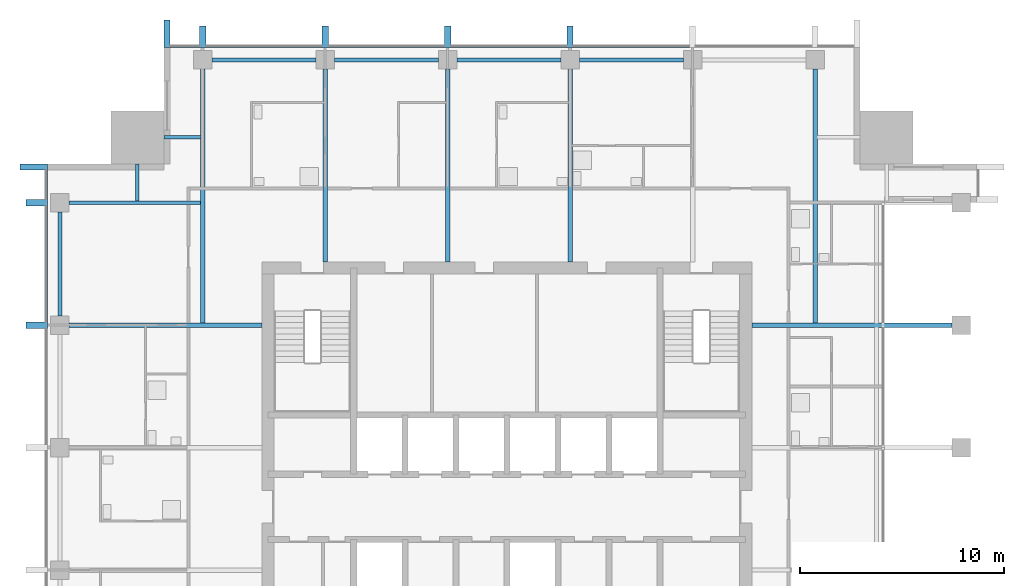
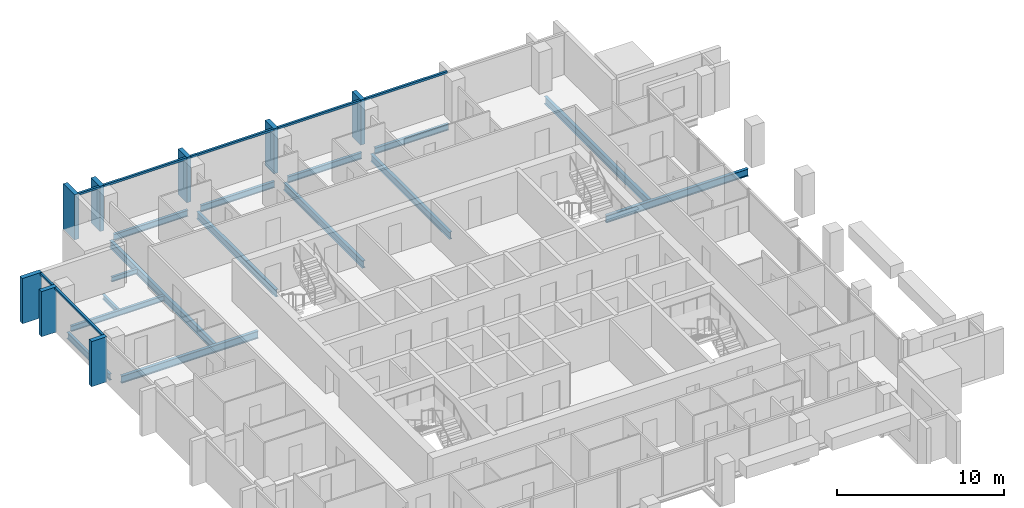
# One storey, part 5 of 14: 15 beams, 15 members, 2 elements without a shape of their own.
"""IFC4 building model written with IfcOpenShell, lengths in metres."""

from ifc_helpers import new_model, si_unit, direction, frame, origin, origin_2d, place, context, subcontext, project, spatial, rectangle, i_section, extrude, material, material_profile, profile_set, type_object, element, aggregate, save


model = new_model("IFC4")

# Units and contexts
model_context = context("Model", 3, precision=1e-05, world=origin(), true_north=direction((0.0, 1.0)))
body_context = subcontext(model_context, "Body", "Model", "MODEL_VIEW")
ifc_project = project(units=[si_unit("LENGTHUNIT", "METRE"), si_unit("AREAUNIT", "SQUARE_METRE"), si_unit("VOLUMEUNIT", "CUBIC_METRE"), si_unit("PLANEANGLEUNIT", "RADIAN"), si_unit("MASSUNIT", "GRAM", prefix="KILO")], contexts=[model_context])

# Site, building, storey
site_placement = place(None, origin())
site = spatial("IfcSite", under=ifc_project, at=site_placement, CompositionType="ELEMENT")
building_placement = place(site_placement, origin())
building = spatial("IfcBuilding", under=site, at=building_placement, Name="Amberfall Residences", CompositionType="ELEMENT")
storey_placement = place(building_placement, frame((0.0, 0.0, 220.0)))
storey = spatial("IfcBuildingStorey", under=building, at=storey_placement, Name="L59", CompositionType="ELEMENT", Elevation=220.0)

# Curtain wall, members
ifc_material_1 = material(Name="Bronze anodised aluminium and glass", Category="aluminium")
curtain_wall_type = type_object("IfcCurtainWallType", Name="Curtain wall CW1 tower unit", PredefinedType="USERDEFINED", material=ifc_material_1)
curtain_wall_1_placement = place(storey_placement, origin())
curtain_wall_1 = element("IfcCurtainWall", 1, at=curtain_wall_1_placement, inside=storey, type_object=curtain_wall_type, Name="Curtain wall L59 N N1", ObjectType="UNITISED CURTAIN WALL", PredefinedType="USERDEFINED")
ifc_material_2 = material(Name="Bronze anodised aluminium", Category="aluminium")
ifc_material_profile_1 = material_profile(ifc_material_2, rectangle(XDim=0.14990234375, YDim=0.14990234375, at=origin_2d()), Name="CW1 transom 150 x 150 bronze")
ifc_profile_set_1 = profile_set([ifc_material_profile_1], Name="Bronze anodised aluminium")
member_type_1 = type_object("IfcMemberType", Name="CW1 transom 150 x 150 bronze", PredefinedType="USERDEFINED", material=ifc_profile_set_1)
member_1_placement = place(storey_placement, frame((83.449951171875, 68.074951171875, 2.97509765625), z_axis=(-1.0, 0.0, 0.0), x_axis=(0.0, -1.0, 0.0)))
member_1 = element("IfcMember", 2, at=member_1_placement, type_object=member_type_1, Name="CW1 transom 3.1", ObjectType="TRANSOM", PredefinedType="USERDEFINED", context=body_context, shape_type="SweptSolid", body=[
    extrude(rectangle(XDim=0.14990234375, YDim=0.14990234375, at=origin_2d()), origin(), (0.0, 0.0, 1.0), 5.699951171875),
])
member_2_placement = place(storey_placement, frame((77.449951171875, 68.074951171875, 2.97509765625), z_axis=(-1.0, 0.0, 0.0), x_axis=(0.0, -1.0, 0.0)))
member_2 = element("IfcMember", 3, at=member_2_placement, type_object=member_type_1, Name="CW1 transom 4.1", ObjectType="TRANSOM", PredefinedType="USERDEFINED", context=body_context, shape_type="SweptSolid", body=[
    extrude(rectangle(XDim=0.14990234375, YDim=0.14990234375, at=origin_2d()), origin(), (0.0, 0.0, 1.0), 5.699951171875),
])
member_3_placement = place(storey_placement, frame((71.449951171875, 68.074951171875, 2.97509765625), z_axis=(-1.0, 0.0, 0.0), x_axis=(0.0, -1.0, 0.0)))
member_3 = element("IfcMember", 4, at=member_3_placement, type_object=member_type_1, Name="CW1 transom 5.1", ObjectType="TRANSOM", PredefinedType="USERDEFINED", context=body_context, shape_type="SweptSolid", body=[
    extrude(rectangle(XDim=0.14990234375, YDim=0.14990234375, at=origin_2d()), origin(), (0.0, 0.0, 1.0), 5.699951171875),
])
member_4_placement = place(storey_placement, frame((65.449951171875, 68.074951171875, 2.97509765625), z_axis=(-1.0, 0.0, 0.0), x_axis=(0.0, -1.0, 0.0)))
member_4 = element("IfcMember", 5, at=member_4_placement, type_object=member_type_1, Name="CW1 transom 6.1", ObjectType="TRANSOM", PredefinedType="USERDEFINED", context=body_context, shape_type="SweptSolid", body=[
    extrude(rectangle(XDim=0.14990234375, YDim=0.14990234375, at=origin_2d()), origin(), (0.0, 0.0, 1.0), 5.699951171875),
])
member_5_placement = place(storey_placement, frame((59.449951171875, 68.074951171875, 2.97509765625), z_axis=(-1.0, 0.0, 0.0), x_axis=(0.0, -1.0, 0.0)))
member_5 = element("IfcMember", 6, at=member_5_placement, type_object=member_type_1, Name="CW1 transom 7.1", ObjectType="TRANSOM", PredefinedType="USERDEFINED", context=body_context, shape_type="SweptSolid", body=[
    extrude(rectangle(XDim=0.14990234375, YDim=0.14990234375, at=origin_2d()), origin(), (0.0, 0.0, 1.0), 1.449951171875),
])

curtain_wall_2_placement = place(storey_placement, origin())
curtain_wall_2 = element("IfcCurtainWall", 7, at=curtain_wall_2_placement, inside=storey, type_object=curtain_wall_type, Name="Curtain wall L59 W W1", ObjectType="UNITISED CURTAIN WALL", PredefinedType="USERDEFINED")
member_6_placement = place(storey_placement, frame((51.925048828125, 62.0, 2.97509765625), z_axis=(0.0, -1.0, 0.0), x_axis=(1.0, 0.0, 0.0)))
member_6 = element("IfcMember", 8, at=member_6_placement, type_object=member_type_1, Name="CW1 transom 1.1", ObjectType="TRANSOM", PredefinedType="USERDEFINED", context=body_context, shape_type="SweptSolid", body=[
    extrude(rectangle(XDim=0.14990234375, YDim=0.14990234375, at=origin_2d()), origin(), (0.0, 0.0, 1.0), 1.449951171875),
])
member_7_placement = place(storey_placement, frame((51.925048828125, 60.25, 2.97509765625), z_axis=(0.0, -1.0, 0.0), x_axis=(1.0, 0.0, 0.0)))
member_7 = element("IfcMember", 9, at=member_7_placement, type_object=member_type_1, Name="CW1 transom 2.1", ObjectType="TRANSOM", PredefinedType="USERDEFINED", context=body_context, shape_type="SweptSolid", body=[
    extrude(rectangle(XDim=0.14990234375, YDim=0.14990234375, at=origin_2d()), origin(), (0.0, 0.0, 1.0), 5.699951171875),
])

# Member
ifc_material_profile_2 = material_profile(ifc_material_2, rectangle(XDim=1.35009765625, YDim=0.300048828125, at=origin_2d()), Name="Corner fin 300 x 1350 bronze")
ifc_profile_set_2 = profile_set([ifc_material_profile_2], Name="Bronze anodised aluminium")
member_type_2 = type_object("IfcMemberType", Name="Corner fin 300 x 1350 bronze", PredefinedType="MULLION", material=ifc_profile_set_2)
member_8_placement = place(storey_placement, frame((57.85009765625, 68.675048828125, -0.25), z_axis=(0.0, 0.0, 1.0), x_axis=(0.0, -1.0, 0.0)))
member_8 = element("IfcMember", 10, at=member_8_placement, type_object=member_type_2, Name="CW FIN 8", PredefinedType="MULLION", context=body_context, shape_type="SweptSolid", body=[
    extrude(rectangle(XDim=1.35009765625, YDim=0.300048828125, at=origin_2d()), origin(), (0.0, 0.0, 1.0), 3.300048828125),
])

member_9_placement = place(storey_placement, frame((51.324951171875, 62.14990234375, -0.25), z_axis=(0.0, 0.0, 1.0), x_axis=(1.0, 0.0, 0.0)))
member_9 = element("IfcMember", 11, at=member_9_placement, type_object=member_type_2, Name="CW FIN 1", PredefinedType="MULLION", context=body_context, shape_type="SweptSolid", body=[
    extrude(rectangle(XDim=1.35009765625, YDim=0.300048828125, at=origin_2d()), origin(), (0.0, 0.0, 1.0), 3.300048828125),
])

# Beams
ifc_material_3 = material(Name="Steel S355", Category="steel")
ifc_material_profile_3 = material_profile(ifc_material_3, i_section(OverallWidth=0.18994140625, OverallDepth=0.453369140625, WebThickness=0.008544921875, FlangeThickness=0.0126953125, FilletRadius=0.01025390625, at=origin_2d()), Name="UB 457x191x67")
ifc_profile_set_3 = profile_set([ifc_material_profile_3], Name="Steel S355")
beam_type_1 = type_object("IfcBeamType", Name="Edge beam UB 457x191x67", PredefinedType="SPANDREL", material=ifc_profile_set_3)
for number, where, z_axis, x_axis, name in (
    (12, (60.050048828125, 67.39990234375, -0.476806640625), (1.0, 0.0, 0.0), (0.0, 1.0, 0.0), "Edge beam B1 L59 23"),
    (13, (66.050048828125, 67.39990234375, -0.476806640625), (1.0, 0.0, 0.0), (0.0, 1.0, 0.0), "Edge beam B1 L59 24"),
    (14, (72.050048828125, 67.39990234375, -0.476806640625), (1.0, 0.0, 0.0), (0.0, 1.0, 0.0), "Edge beam B1 L59 25"),
    (15, (78.050048828125, 67.39990234375, -0.476806640625), (1.0, 0.0, 0.0), (0.0, 1.0, 0.0), "Edge beam B1 L59 26"),
    (16, (52.60009765625, 54.85009765625, -0.476806640625), (0.0, 1.0, 0.0), (-1.0, 0.0, 0.0), "Edge beam B1 L59 38"),
):
    element("IfcBeam", number, at=place(storey_placement, frame(where, z_axis=z_axis, x_axis=x_axis)), inside=storey, type_object=beam_type_1, Name=name, PredefinedType="SPANDREL", context=body_context, shape_type="SweptSolid", body=[
        extrude(i_section(OverallWidth=0.18994140625, OverallDepth=0.453369140625, WebThickness=0.008544921875, FlangeThickness=0.0126953125, FilletRadius=0.01025390625, at=origin_2d()), origin(), (0.0, 0.0, 1.0), 5.099853515625),
    ])

# Member
ifc_material_profile_4 = material_profile(ifc_material_2, rectangle(XDim=1.050048828125, YDim=0.300048828125, at=origin_2d()), Name="Fin 300 x 1050 bronze")
ifc_profile_set_4 = profile_set([ifc_material_profile_4], Name="Bronze anodised aluminium")
member_type_3 = type_object("IfcMemberType", Name="Fin 300 x 1050 bronze", PredefinedType="MULLION", material=ifc_profile_set_4)
member_10_placement = place(storey_placement, frame((77.60009765625, 68.52490234375, -0.25), z_axis=(0.0, 0.0, 1.0), x_axis=(0.0, -1.0, 0.0)))
member_10 = element("IfcMember", 17, at=member_10_placement, type_object=member_type_3, Name="CW FIN 4", PredefinedType="MULLION", context=body_context, shape_type="SweptSolid", body=[
    extrude(rectangle(XDim=1.050048828125, YDim=0.300048828125, at=origin_2d()), origin(), (0.0, 0.0, 1.0), 3.300048828125),
])

member_11_placement = place(storey_placement, frame((71.60009765625, 68.52490234375, -0.25), z_axis=(0.0, 0.0, 1.0), x_axis=(0.0, -1.0, 0.0)))
member_11 = element("IfcMember", 18, at=member_11_placement, type_object=member_type_3, Name="CW FIN 5", PredefinedType="MULLION", context=body_context, shape_type="SweptSolid", body=[
    extrude(rectangle(XDim=1.050048828125, YDim=0.300048828125, at=origin_2d()), origin(), (0.0, 0.0, 1.0), 3.300048828125),
])

member_12_placement = place(storey_placement, frame((65.60009765625, 68.52490234375, -0.25), z_axis=(0.0, 0.0, 1.0), x_axis=(0.0, -1.0, 0.0)))
member_12 = element("IfcMember", 19, at=member_12_placement, type_object=member_type_3, Name="CW FIN 6", PredefinedType="MULLION", context=body_context, shape_type="SweptSolid", body=[
    extrude(rectangle(XDim=1.050048828125, YDim=0.300048828125, at=origin_2d()), origin(), (0.0, 0.0, 1.0), 3.300048828125),
])

member_13_placement = place(storey_placement, frame((59.60009765625, 68.52490234375, -0.25), z_axis=(0.0, 0.0, 1.0), x_axis=(0.0, -1.0, 0.0)))
member_13 = element("IfcMember", 20, at=member_13_placement, type_object=member_type_3, Name="CW FIN 7", PredefinedType="MULLION", context=body_context, shape_type="SweptSolid", body=[
    extrude(rectangle(XDim=1.050048828125, YDim=0.300048828125, at=origin_2d()), origin(), (0.0, 0.0, 1.0), 3.300048828125),
])

aggregate(curtain_wall_1, [member_10, member_11, member_12, member_13, member_8, member_1, member_2, member_3, member_4, member_5])

member_14_placement = place(storey_placement, frame((51.47509765625, 60.39990234375, -0.25), z_axis=(0.0, 0.0, 1.0), x_axis=(1.0, 0.0, 0.0)))
member_14 = element("IfcMember", 21, at=member_14_placement, type_object=member_type_3, Name="CW FIN 2", PredefinedType="MULLION", context=body_context, shape_type="SweptSolid", body=[
    extrude(rectangle(XDim=1.050048828125, YDim=0.300048828125, at=origin_2d()), origin(), (0.0, 0.0, 1.0), 3.300048828125),
])

member_15_placement = place(storey_placement, frame((51.47509765625, 54.39990234375, -0.25), z_axis=(0.0, 0.0, 1.0), x_axis=(1.0, 0.0, 0.0)))
member_15 = element("IfcMember", 22, at=member_15_placement, type_object=member_type_3, Name="CW FIN 3", PredefinedType="MULLION", context=body_context, shape_type="SweptSolid", body=[
    extrude(rectangle(XDim=1.050048828125, YDim=0.300048828125, at=origin_2d()), origin(), (0.0, 0.0, 1.0), 3.300048828125),
])

aggregate(curtain_wall_2, [member_9, member_14, member_15, member_6, member_7])

# Beams
ifc_material_profile_5 = material_profile(ifc_material_3, i_section(OverallWidth=0.177734375, OverallDepth=0.402587890625, WebThickness=0.0078125, FlangeThickness=0.010986328125, FilletRadius=0.01025390625, at=origin_2d()), Name="UB 406x178x54")
ifc_profile_set_5 = profile_set([ifc_material_profile_5], Name="Steel S355")
beam_type_2 = type_object("IfcBeamType", Name="Floor girder UB 406x178x54", PredefinedType="BEAM", material=ifc_profile_set_5)
beam_1_placement = place(storey_placement, frame((53.050048828125, 60.39990234375, -0.451416015625), z_axis=(1.0, 0.0, 0.0), x_axis=(0.0, 1.0, 0.0)))
element("IfcBeam", 23, at=beam_1_placement, inside=storey, type_object=beam_type_2, Name="Floor girder B4 L59 44", PredefinedType="BEAM", context=body_context, shape_type="SweptSolid", body=[
    extrude(i_section(OverallWidth=0.177734375, OverallDepth=0.402587890625, WebThickness=0.0078125, FlangeThickness=0.010986328125, FilletRadius=0.01025390625, at=origin_2d()), origin(), (0.0, 0.0, 1.0), 6.429931640625),
])
ifc_material_profile_6 = material_profile(ifc_material_3, i_section(OverallWidth=0.210693359375, OverallDepth=0.53955078125, WebThickness=0.01171875, FlangeThickness=0.018798828125, FilletRadius=0.0126953125, at=origin_2d()), Name="UB 533x210x109")
ifc_profile_set_6 = profile_set([ifc_material_profile_6], Name="Steel S355")
beam_type_3 = type_object("IfcBeamType", Name="Floor girder UB 533x210x109", PredefinedType="BEAM", material=ifc_profile_set_6)
for number, where, z_axis, x_axis, name in (
    (24, (59.60009765625, 66.949951171875, -0.519775390625), (0.0, -1.0, 0.0), (1.0, 0.0, 0.0), "Floor girder B2 L59 28"),
    (25, (89.60009765625, 66.949951171875, -0.519775390625), (0.0, -1.0, 0.0), (1.0, 0.0, 0.0), "Floor girder B2 L59 33"),
):
    element("IfcBeam", number, at=place(storey_placement, frame(where, z_axis=z_axis, x_axis=x_axis)), inside=storey, type_object=beam_type_3, Name=name, PredefinedType="BEAM", context=body_context, shape_type="SweptSolid", body=[
        extrude(i_section(OverallWidth=0.210693359375, OverallDepth=0.53955078125, WebThickness=0.01171875, FlangeThickness=0.018798828125, FilletRadius=0.0126953125, at=origin_2d()), origin(), (0.0, 0.0, 1.0), 12.450439453125),
    ])
ifc_material_profile_7 = material_profile(ifc_material_3, i_section(OverallWidth=0.209228515625, OverallDepth=0.533203125, WebThickness=0.010009765625, FlangeThickness=0.015625, FilletRadius=0.0126953125, at=origin_2d()), Name="UB 533x210x92")
ifc_profile_set_7 = profile_set([ifc_material_profile_7], Name="Steel S355")
beam_type_4 = type_object("IfcBeamType", Name="Floor girder UB 533x210x92", PredefinedType="BEAM", material=ifc_profile_set_7)
beam_2_placement = place(storey_placement, frame((96.300048828125, 54.39990234375, -0.5166015625), z_axis=(-1.0, 0.0, 0.0), x_axis=(0.0, -1.0, 0.0)))
element("IfcBeam", 26, at=beam_2_placement, inside=storey, type_object=beam_type_4, Name="Floor girder B3 L59 21", PredefinedType="BEAM", context=body_context, shape_type="SweptSolid", body=[
    extrude(i_section(OverallWidth=0.209228515625, OverallDepth=0.533203125, WebThickness=0.010009765625, FlangeThickness=0.015625, FilletRadius=0.0126953125, at=origin_2d()), origin(), (0.0, 0.0, 1.0), 9.800048828125),
])
for number, where, z_axis, x_axis, name in (
    (27, (65.60009765625, 66.949951171875, -0.5166015625), (0.0, -1.0, 0.0), (1.0, 0.0, 0.0), "Floor girder B3 L59 29"),
    (28, (71.60009765625, 66.949951171875, -0.5166015625), (0.0, -1.0, 0.0), (1.0, 0.0, 0.0), "Floor girder B3 L59 30"),
    (29, (77.60009765625, 66.949951171875, -0.5166015625), (0.0, -1.0, 0.0), (1.0, 0.0, 0.0), "Floor girder B3 L59 31"),
    (30, (53.050048828125, 54.39990234375, -0.5166015625), (1.0, 0.0, 0.0), (0.0, 1.0, 0.0), "Floor girder B3 L59 43"),
):
    element("IfcBeam", number, at=place(storey_placement, frame(where, z_axis=z_axis, x_axis=x_axis)), inside=storey, type_object=beam_type_4, Name=name, PredefinedType="BEAM", context=body_context, shape_type="SweptSolid", body=[
        extrude(i_section(OverallWidth=0.209228515625, OverallDepth=0.533203125, WebThickness=0.010009765625, FlangeThickness=0.015625, FilletRadius=0.0126953125, at=origin_2d()), origin(), (0.0, 0.0, 1.0), 9.449951171875),
    ])
ifc_material_profile_8 = material_profile(ifc_material_3, i_section(OverallWidth=0.171142578125, OverallDepth=0.351318359375, WebThickness=0.007080078125, FlangeThickness=0.009765625, FilletRadius=0.01025390625, at=origin_2d()), Name="UB 356x171x45")
ifc_profile_set_8 = profile_set([ifc_material_profile_8], Name="Steel S355")
beam_type_5 = type_object("IfcBeamType", Name="Link beam UB 356x171x45", PredefinedType="BEAM", material=ifc_profile_set_8)
beam_3_placement = place(storey_placement, frame((57.699951171875, 63.60009765625, -0.42578125), z_axis=(1.0, 0.0, 0.0), x_axis=(0.0, 1.0, 0.0)))
element("IfcBeam", 31, at=beam_3_placement, inside=storey, type_object=beam_type_5, Name="Link beam B7 L59 51", PredefinedType="BEAM", context=body_context, shape_type="SweptSolid", body=[
    extrude(i_section(OverallWidth=0.171142578125, OverallDepth=0.351318359375, WebThickness=0.007080078125, FlangeThickness=0.009765625, FilletRadius=0.01025390625, at=origin_2d()), origin(), (0.0, 0.0, 1.0), 1.8046875),
])
beam_4_placement = place(storey_placement, frame((56.39990234375, 62.300048828125, -0.42578125), z_axis=(0.0, -1.0, 0.0), x_axis=(1.0, 0.0, 0.0)))
element("IfcBeam", 32, at=beam_4_placement, inside=storey, type_object=beam_type_5, Name="Link beam B7 L59 52", PredefinedType="BEAM", context=body_context, shape_type="SweptSolid", body=[
    extrude(i_section(OverallWidth=0.171142578125, OverallDepth=0.351318359375, WebThickness=0.007080078125, FlangeThickness=0.009765625, FilletRadius=0.01025390625, at=origin_2d()), origin(), (0.0, 0.0, 1.0), 1.821044921875),
])

save(model, "model.ifc")
